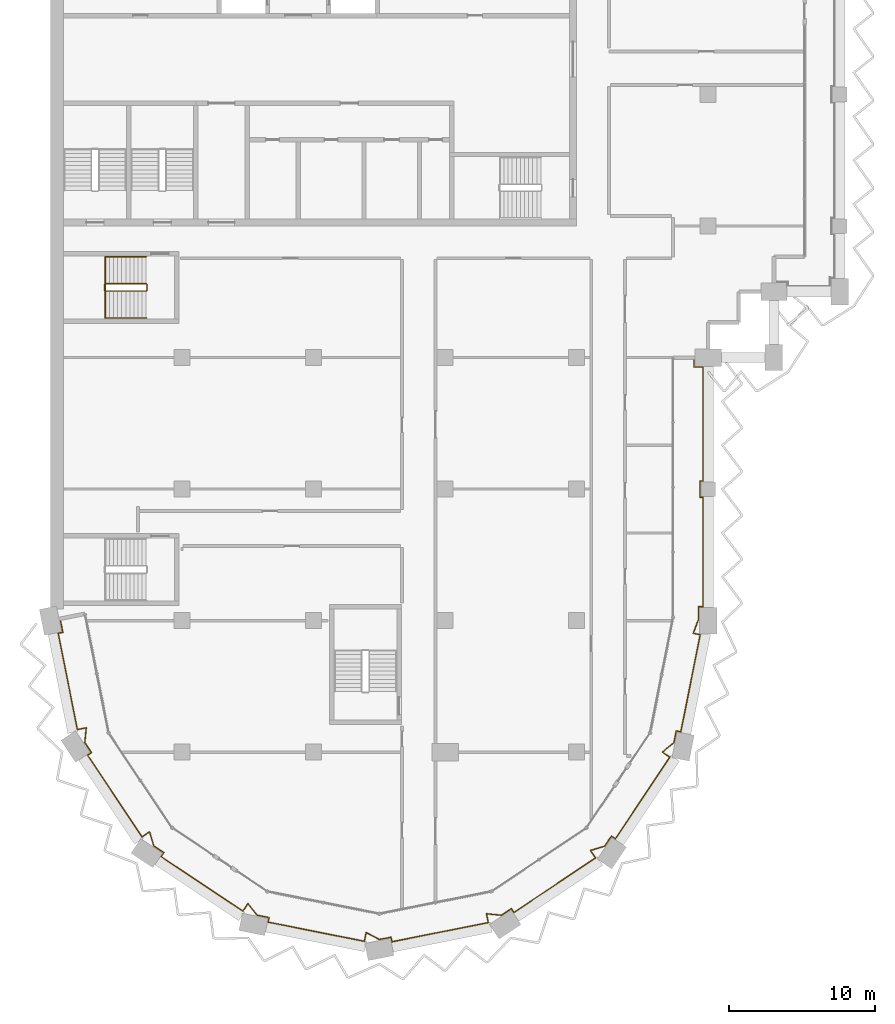
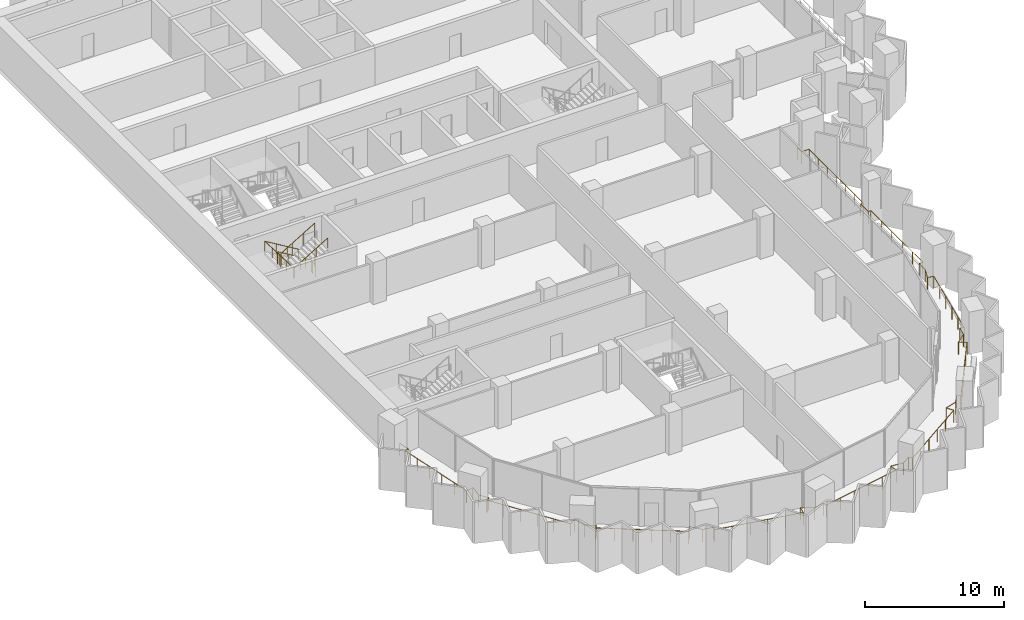
# One storey, part 15 of 17: 3 railings.
"""IFC4 building model written with IfcOpenShell, lengths in metres."""

from ifc_helpers import new_model, si_unit, direction, frame, origin, origin_2d, place, context, subcontext, project, spatial, circle, extrude, material, type_object, element, save


model = new_model("IFC4")

# Units and contexts
model_context = context("Model", 3, precision=1e-05, world=origin(), true_north=direction((0.0, 1.0)))
body_context = subcontext(model_context, "Body", "Model", "MODEL_VIEW")
ifc_project = project(units=[si_unit("LENGTHUNIT", "METRE"), si_unit("AREAUNIT", "SQUARE_METRE"), si_unit("VOLUMEUNIT", "CUBIC_METRE"), si_unit("PLANEANGLEUNIT", "RADIAN"), si_unit("MASSUNIT", "GRAM", prefix="KILO")], contexts=[model_context])

# Site, building, storey
site_placement = place(None, origin())
site = spatial("IfcSite", under=ifc_project, at=site_placement, CompositionType="ELEMENT")
building_placement = place(site_placement, origin())
building = spatial("IfcBuilding", under=site, at=building_placement, Name="Hunhe Ridgeline Campus", CompositionType="ELEMENT")
storey_placement = place(building_placement, frame((0.0, 0.0, 197.60009765625)))
storey = spatial("IfcBuildingStorey", under=building, at=storey_placement, Name="L50", CompositionType="ELEMENT", Elevation=197.60009765625)

# Railings
ifc_material_1 = material(Name="Steel Q355", Category="steel")
railing_type_1 = type_object("IfcRailingType", Name="Loggia guard 1100 Steel Q355", PredefinedType="GUARDRAIL", material=ifc_material_1)
railing_1_placement = place(storey_placement, frame((0.6572265625, 36.130615234375, 0.0)))
element("IfcRailing", 1, at=railing_1_placement, inside=storey, type_object=railing_type_1, Name="Loggia guard 1", PredefinedType="GUARDRAIL", context=body_context, shape_type="SweptSolid", body=[
    extrude(circle(Radius=0.02392578125, at=origin_2d()), frame((0.0, 0.0, 1.076171875), z_axis=(0.195078060519, -0.980787719287, 0.0), x_axis=(0.980787719287, 0.195078060519, 0.0)), (0.0, 0.0, 1.0), 0.949951171875),
    extrude(circle(Radius=0.02392578125, at=origin_2d()), frame((0.185302734375, -0.931640625, 1.076171875), z_axis=(-0.980756274917, -0.195236085831, 0.0), x_axis=(0.195236085831, -0.980756274917, 0.0)), (0.0, 0.0, 1.0), 0.320068359375),
    extrude(circle(Radius=0.02392578125, at=origin_2d()), frame((-0.128662109375, -0.994140625, 1.076171875), z_axis=(0.195081688297, -0.980786997717, 0.0), x_axis=(0.980786997717, 0.195081688297, 0.0)), (0.0, 0.0, 1.0), 6.718017578125),
    extrude(circle(Radius=0.02392578125, at=origin_2d()), frame((1.181884765625, -7.5830078125, 1.076171875), z_axis=(0.980747227858, 0.195281527671, 0.0), x_axis=(-0.195281527671, 0.980747227858, 0.0)), (0.0, 0.0, 1.0), 0.618896484375),
    extrude(circle(Radius=0.02392578125, at=origin_2d()), frame((1.788818359375, -7.462158203125, 1.076171875), z_axis=(-0.100047453171, -0.99498266674, 0.0), x_axis=(0.99498266674, -0.100047453171, 0.0)), (0.0, 0.0, 1.0), 1.0224609375),
    extrude(circle(Radius=0.02392578125, at=origin_2d()), frame((1.6865234375, -8.4794921875, 1.076171875), z_axis=(0.555596479569, -0.83145207432, 0.0), x_axis=(0.83145207432, 0.555596479569, 0.0)), (0.0, 0.0, 1.0), 0.81689453125),
    extrude(circle(Radius=0.02392578125, at=origin_2d()), frame((2.140380859375, -9.15869140625, 1.076171875), z_axis=(-0.831580508376, -0.555404229448, 0.0), x_axis=(0.555404229448, -0.831580508376, 0.0)), (0.0, 0.0, 1.0), 0.320068359375),
    extrude(circle(Radius=0.02392578125, at=origin_2d()), frame((1.874267578125, -9.33642578125, 1.076171875), z_axis=(0.555588848626, -0.831457173451, 0.0), x_axis=(0.831457173451, 0.555588848626, 0.0)), (0.0, 0.0, 1.0), 6.718017578125),
    extrude(circle(Radius=0.02392578125, at=origin_2d()), frame((5.606689453125, -14.922119140625, 1.076171875), z_axis=(0.831442704119, 0.555610501851, 0.0), x_axis=(-0.555610501851, 0.831442704119, 0.0)), (0.0, 0.0, 1.0), 0.61865234375),
    extrude(circle(Radius=0.02392578125, at=origin_2d()), frame((6.12109375, -14.578369140625, 1.076171875), z_axis=(0.28844300651, -0.957497066312, 0.0), x_axis=(0.957497066312, 0.28844300651, 0.0)), (0.0, 0.0, 1.0), 1.0224609375),
    extrude(circle(Radius=0.02392578125, at=origin_2d()), frame((6.416015625, -15.557373046875, 1.076171875), z_axis=(0.831359782977, -0.55573456906, 0.0), x_axis=(0.55573456906, 0.831359782977, 0.0)), (0.0, 0.0, 1.0), 0.816650390625),
    extrude(circle(Radius=0.02392578125, at=origin_2d()), frame((7.094970703125, -16.01123046875, 1.076171875), z_axis=(-0.555404229448, -0.831580508376, 0.0), x_axis=(0.831580508376, -0.555404229448, 0.0)), (0.0, 0.0, 1.0), 0.320068359375),
    extrude(circle(Radius=0.02392578125, at=origin_2d()), frame((6.917236328125, -16.27734375, 1.076171875), z_axis=(0.831473961305, -0.555563724222, 0.0), x_axis=(0.555563724222, 0.831473961305, 0.0)), (0.0, 0.0, 1.0), 6.7177734375),
    extrude(circle(Radius=0.02392578125, at=origin_2d()), frame((12.5029296875, -20.009521484375, 1.076171875), z_axis=(0.555610501851, 0.831442704119, 0.0), x_axis=(-0.831442704119, 0.555610501851, 0.0)), (0.0, 0.0, 1.0), 0.61865234375),
    extrude(circle(Radius=0.02392578125, at=origin_2d()), frame((12.8466796875, -19.4951171875, 1.076171875), z_axis=(0.63289971186, -0.774233785576, 0.0), x_axis=(0.774233785576, 0.63289971186, 0.0)), (0.0, 0.0, 1.0), 1.022705078125),
    extrude(circle(Radius=0.02392578125, at=origin_2d()), frame((13.493896484375, -20.286865234375, 1.076171875), z_axis=(0.980821383877, -0.194908729743, 0.0), x_axis=(0.194908729743, 0.980821383877, 0.0)), (0.0, 0.0, 1.0), 0.816650390625),
    extrude(circle(Radius=0.02392578125, at=origin_2d()), frame((14.294921875, -20.446044921875, 1.076171875), z_axis=(-0.195236085831, -0.980756274917, 0.0), x_axis=(0.980756274917, -0.195236085831, 0.0)), (0.0, 0.0, 1.0), 0.320068359375),
    extrude(circle(Radius=0.02392578125, at=origin_2d()), frame((14.232421875, -20.760009765625, 1.076171875), z_axis=(0.980786997717, -0.195081688297, 0.0), x_axis=(0.195081688297, 0.980786997717, 0.0)), (0.0, 0.0, 1.0), 6.718017578125),
    extrude(circle(Radius=0.02392578125, at=origin_2d()), frame((20.8212890625, -22.070556640625, 1.076171875), z_axis=(0.194902020226, 0.980822717168, 0.0), x_axis=(-0.980822717168, 0.194902020226, 0.0)), (0.0, 0.0, 1.0), 0.618896484375),
    extrude(circle(Radius=0.02392578125, at=origin_2d()), frame((20.94189453125, -21.463623046875, 1.076171875), z_axis=(0.880961256043, -0.473188403652, 0.0), x_axis=(0.473188403652, 0.880961256043, 0.0)), (0.0, 0.0, 1.0), 1.022705078125),
    extrude(circle(Radius=0.02392578125, at=origin_2d()), frame((21.8427734375, -21.947509765625, 1.076171875), z_axis=(0.980764196543, 0.195196287822, 0.0), x_axis=(-0.195196287822, 0.980764196543, 0.0)), (0.0, 0.0, 1.0), 0.816650390625),
    extrude(circle(Radius=0.02392578125, at=origin_2d()), frame((22.643798828125, -21.7880859375, 1.076171875), z_axis=(0.195236085831, -0.980756274917, 0.0), x_axis=(0.980756274917, 0.195236085831, 0.0)), (0.0, 0.0, 1.0), 0.320068359375),
    extrude(circle(Radius=0.02392578125, at=origin_2d()), frame((22.706298828125, -22.10205078125, 1.076171875), z_axis=(0.980786997717, 0.195081688297, 0.0), x_axis=(-0.195081688297, 0.980786997717, 0.0)), (0.0, 0.0, 1.0), 6.718017578125),
    extrude(circle(Radius=0.02392578125, at=origin_2d()), frame((29.295166015625, -20.79150390625, 1.076171875), z_axis=(-0.195281527671, 0.980747227858, 0.0), x_axis=(-0.980747227858, -0.195281527671, 0.0)), (0.0, 0.0, 1.0), 0.618896484375),
    extrude(circle(Radius=0.02392578125, at=origin_2d()), frame((29.17431640625, -20.1845703125, 1.076171875), z_axis=(0.99498266674, -0.100047453171, 0.0), x_axis=(0.100047453171, 0.99498266674, 0.0)), (0.0, 0.0, 1.0), 1.0224609375),
    extrude(circle(Radius=0.02392578125, at=origin_2d()), frame((30.191650390625, -20.286865234375, 1.076171875), z_axis=(0.83145207432, 0.555596479569, 0.0), x_axis=(-0.555596479569, 0.83145207432, 0.0)), (0.0, 0.0, 1.0), 0.81689453125),
    extrude(circle(Radius=0.02392578125, at=origin_2d()), frame((30.870849609375, -19.8330078125, 1.076171875), z_axis=(0.555404229448, -0.831580508376, 0.0), x_axis=(0.831580508376, 0.555404229448, 0.0)), (0.0, 0.0, 1.0), 0.320068359375),
    extrude(circle(Radius=0.02392578125, at=origin_2d()), frame((31.048583984375, -20.09912109375, 1.076171875), z_axis=(0.831457173451, 0.555588848626, 0.0), x_axis=(-0.555588848626, 0.831457173451, 0.0)), (0.0, 0.0, 1.0), 6.718017578125),
    extrude(circle(Radius=0.02392578125, at=origin_2d()), frame((36.63427734375, -16.36669921875, 1.076171875), z_axis=(-0.555610501851, 0.831442704119, 0.0), x_axis=(-0.831442704119, -0.555610501851, 0.0)), (0.0, 0.0, 1.0), 0.61865234375),
    extrude(circle(Radius=0.02392578125, at=origin_2d()), frame((36.29052734375, -15.852294921875, 1.076171875), z_axis=(0.957497066312, 0.28844300651, 0.0), x_axis=(-0.28844300651, 0.957497066312, 0.0)), (0.0, 0.0, 1.0), 1.0224609375),
    extrude(circle(Radius=0.02392578125, at=origin_2d()), frame((37.26953125, -15.557373046875, 1.076171875), z_axis=(0.55573456906, 0.831359782977, 0.0), x_axis=(-0.831359782977, 0.55573456906, 0.0)), (0.0, 0.0, 1.0), 0.816650390625),
    extrude(circle(Radius=0.02392578125, at=origin_2d()), frame((37.723388671875, -14.87841796875, 1.076171875), z_axis=(0.831580508376, -0.555404229448, 0.0), x_axis=(0.555404229448, 0.831580508376, 0.0)), (0.0, 0.0, 1.0), 0.320068359375),
    extrude(circle(Radius=0.02392578125, at=origin_2d()), frame((37.989501953125, -15.05615234375, 1.076171875), z_axis=(0.555563724222, 0.831473961305, 0.0), x_axis=(-0.831473961305, 0.555563724222, 0.0)), (0.0, 0.0, 1.0), 6.7177734375),
    extrude(circle(Radius=0.02392578125, at=origin_2d()), frame((41.7216796875, -9.470458984375, 1.076171875), z_axis=(-0.831442704119, 0.555610501851, 0.0), x_axis=(-0.555610501851, -0.831442704119, 0.0)), (0.0, 0.0, 1.0), 0.61865234375),
    extrude(circle(Radius=0.02392578125, at=origin_2d()), frame((41.207275390625, -9.126708984375, 1.076171875), z_axis=(0.774233785576, 0.63289971186, 0.0), x_axis=(-0.63289971186, 0.774233785576, 0.0)), (0.0, 0.0, 1.0), 1.022705078125),
    extrude(circle(Radius=0.02392578125, at=origin_2d()), frame((41.9990234375, -8.4794921875, 1.076171875), z_axis=(0.194908729743, 0.980821383877, 0.0), x_axis=(-0.980821383877, 0.194908729743, 0.0)), (0.0, 0.0, 1.0), 0.816650390625),
    extrude(circle(Radius=0.02392578125, at=origin_2d()), frame((42.158203125, -7.678466796875, 1.076171875), z_axis=(0.980756274917, -0.195236085831, 0.0), x_axis=(0.195236085831, 0.980756274917, 0.0)), (0.0, 0.0, 1.0), 0.320068359375),
    extrude(circle(Radius=0.02392578125, at=origin_2d()), frame((42.47216796875, -7.740966796875, 1.076171875), z_axis=(0.195084106665, 0.980786516693, 0.0), x_axis=(-0.980786516693, 0.195084106665, 0.0)), (0.0, 0.0, 1.0), 6.779296875),
    extrude(circle(Radius=0.02392578125, at=origin_2d()), frame((43.794677734375, -1.092041015625, 1.076171875), z_axis=(-0.980754922768, 0.195242878144, 0.0), x_axis=(-0.195242878144, -0.980754922768, 0.0)), (0.0, 0.0, 1.0), 0.48388671875),
    extrude(circle(Radius=0.02392578125, at=origin_2d()), frame((43.320068359375, -0.99755859375, 1.076171875), z_axis=(0.353724256779, 0.93534974751, 0.0), x_axis=(-0.93534974751, 0.353724256779, 0.0)), (0.0, 0.0, 1.0), 0.997314453125),
    extrude(circle(Radius=0.02392578125, at=origin_2d()), frame((43.6728515625, -0.064697265625, 1.076171875), z_axis=(0.0, 1.0, 0.0), x_axis=(-1.0, 0.0, 0.0)), (0.0, 0.0, 1.0), 0.884033203125),
    extrude(circle(Radius=0.02392578125, at=origin_2d()), frame((43.6728515625, 0.8193359375, 1.076171875), z_axis=(1.0, 0.0, 0.0), x_axis=(0.0, 1.0, 0.0)), (0.0, 0.0, 1.0), 0.31982421875),
    extrude(circle(Radius=0.02392578125, at=origin_2d()), frame((43.99267578125, 0.8193359375, 1.076171875), z_axis=(0.0, 1.0, 0.0), x_axis=(-1.0, 0.0, 0.0)), (0.0, 0.0, 1.0), 7.5),
    extrude(circle(Radius=0.02392578125, at=origin_2d()), frame((43.99267578125, 8.3193359375, 1.076171875), z_axis=(-1.0, 0.0, 0.0), x_axis=(0.0, -1.0, 0.0)), (0.0, 0.0, 1.0), 0.219970703125),
    extrude(circle(Radius=0.02392578125, at=origin_2d()), frame((43.772705078125, 8.3193359375, 1.076171875), z_axis=(0.0, 1.0, 0.0), x_axis=(-1.0, 0.0, 0.0)), (0.0, 0.0, 1.0), 1.10009765625),
    extrude(circle(Radius=0.02392578125, at=origin_2d()), frame((43.772705078125, 9.41943359375, 1.076171875), z_axis=(1.0, 0.0, 0.0), x_axis=(0.0, 1.0, 0.0)), (0.0, 0.0, 1.0), 0.219970703125),
    extrude(circle(Radius=0.02392578125, at=origin_2d()), frame((43.99267578125, 9.41943359375, 1.076171875), z_axis=(0.0, 1.0, 0.0), x_axis=(-1.0, 0.0, 0.0)), (0.0, 0.0, 1.0), 7.800048828125),
    extrude(circle(Radius=0.02392578125, at=origin_2d()), frame((43.99267578125, 17.219482421875, 1.076171875), z_axis=(-1.0, 0.0, 0.0), x_axis=(0.0, -1.0, 0.0)), (0.0, 0.0, 1.0), 0.619873046875),
    extrude(circle(Radius=0.02392578125, at=origin_2d()), frame((43.372802734375, 17.219482421875, 1.076171875), z_axis=(0.0, 1.0, 0.0), x_axis=(-1.0, 0.0, 0.0)), (0.0, 0.0, 1.0), 0.64990234375),
    extrude(circle(Radius=0.02099609375, at=origin_2d()), origin(), (0.0, 0.0, 1.0), 1.052001953125),
    extrude(circle(Radius=0.02099609375, at=origin_2d()), frame((0.185302734375, -0.931640625, 0.0)), (0.0, 0.0, 1.0), 1.052001953125),
    extrude(circle(Radius=0.02099609375, at=origin_2d()), frame((-0.128662109375, -0.994140625, 0.0)), (0.0, 0.0, 1.0), 1.052001953125),
    extrude(circle(Radius=0.02099609375, at=origin_2d()), frame((0.133544921875, -2.31201171875, 0.0)), (0.0, 0.0, 1.0), 1.052001953125),
    extrude(circle(Radius=0.02099609375, at=origin_2d()), frame((0.3955078125, -3.629638671875, 0.0)), (0.0, 0.0, 1.0), 1.052001953125),
    extrude(circle(Radius=0.02099609375, at=origin_2d()), frame((0.65771484375, -4.947509765625, 0.0)), (0.0, 0.0, 1.0), 1.052001953125),
    extrude(circle(Radius=0.02099609375, at=origin_2d()), frame((0.919677734375, -6.26513671875, 0.0)), (0.0, 0.0, 1.0), 1.052001953125),
    extrude(circle(Radius=0.02099609375, at=origin_2d()), frame((1.181884765625, -7.5830078125, 0.0)), (0.0, 0.0, 1.0), 1.052001953125),
    extrude(circle(Radius=0.02099609375, at=origin_2d()), frame((1.788818359375, -7.462158203125, 0.0)), (0.0, 0.0, 1.0), 1.052001953125),
    extrude(circle(Radius=0.02099609375, at=origin_2d()), frame((1.6865234375, -8.4794921875, 0.0)), (0.0, 0.0, 1.0), 1.052001953125),
    extrude(circle(Radius=0.02099609375, at=origin_2d()), frame((2.140380859375, -9.15869140625, 0.0)), (0.0, 0.0, 1.0), 1.052001953125),
    extrude(circle(Radius=0.02099609375, at=origin_2d()), frame((1.874267578125, -9.33642578125, 0.0)), (0.0, 0.0, 1.0), 1.052001953125),
    extrude(circle(Radius=0.02099609375, at=origin_2d()), frame((2.620849609375, -10.45361328125, 0.0)), (0.0, 0.0, 1.0), 1.052001953125),
    extrude(circle(Radius=0.02099609375, at=origin_2d()), frame((3.3671875, -11.57080078125, 0.0)), (0.0, 0.0, 1.0), 1.052001953125),
    extrude(circle(Radius=0.02099609375, at=origin_2d()), frame((4.11376953125, -12.687744140625, 0.0)), (0.0, 0.0, 1.0), 1.052001953125),
    extrude(circle(Radius=0.02099609375, at=origin_2d()), frame((4.860107421875, -13.804931640625, 0.0)), (0.0, 0.0, 1.0), 1.052001953125),
    extrude(circle(Radius=0.02099609375, at=origin_2d()), frame((5.606689453125, -14.922119140625, 0.0)), (0.0, 0.0, 1.0), 1.052001953125),
    extrude(circle(Radius=0.02099609375, at=origin_2d()), frame((6.12109375, -14.578369140625, 0.0)), (0.0, 0.0, 1.0), 1.052001953125),
    extrude(circle(Radius=0.02099609375, at=origin_2d()), frame((6.416015625, -15.557373046875, 0.0)), (0.0, 0.0, 1.0), 1.052001953125),
    extrude(circle(Radius=0.02099609375, at=origin_2d()), frame((7.094970703125, -16.01123046875, 0.0)), (0.0, 0.0, 1.0), 1.052001953125),
    extrude(circle(Radius=0.02099609375, at=origin_2d()), frame((6.917236328125, -16.27734375, 0.0)), (0.0, 0.0, 1.0), 1.052001953125),
    extrude(circle(Radius=0.02099609375, at=origin_2d()), frame((8.034423828125, -17.023681640625, 0.0)), (0.0, 0.0, 1.0), 1.052001953125),
    extrude(circle(Radius=0.02099609375, at=origin_2d()), frame((9.151611328125, -17.770263671875, 0.0)), (0.0, 0.0, 1.0), 1.052001953125),
    extrude(circle(Radius=0.02099609375, at=origin_2d()), frame((10.2685546875, -18.5166015625, 0.0)), (0.0, 0.0, 1.0), 1.052001953125),
    extrude(circle(Radius=0.02099609375, at=origin_2d()), frame((11.3857421875, -19.26318359375, 0.0)), (0.0, 0.0, 1.0), 1.052001953125),
    extrude(circle(Radius=0.02099609375, at=origin_2d()), frame((12.5029296875, -20.009521484375, 0.0)), (0.0, 0.0, 1.0), 1.052001953125),
    extrude(circle(Radius=0.02099609375, at=origin_2d()), frame((12.8466796875, -19.4951171875, 0.0)), (0.0, 0.0, 1.0), 1.052001953125),
    extrude(circle(Radius=0.02099609375, at=origin_2d()), frame((13.493896484375, -20.286865234375, 0.0)), (0.0, 0.0, 1.0), 1.052001953125),
    extrude(circle(Radius=0.02099609375, at=origin_2d()), frame((14.294921875, -20.446044921875, 0.0)), (0.0, 0.0, 1.0), 1.052001953125),
    extrude(circle(Radius=0.02099609375, at=origin_2d()), frame((14.232421875, -20.760009765625, 0.0)), (0.0, 0.0, 1.0), 1.052001953125),
    extrude(circle(Radius=0.02099609375, at=origin_2d()), frame((15.55029296875, -21.022216796875, 0.0)), (0.0, 0.0, 1.0), 1.052001953125),
    extrude(circle(Radius=0.02099609375, at=origin_2d()), frame((16.867919921875, -21.2841796875, 0.0)), (0.0, 0.0, 1.0), 1.052001953125),
    extrude(circle(Radius=0.02099609375, at=origin_2d()), frame((18.185791015625, -21.54638671875, 0.0)), (0.0, 0.0, 1.0), 1.052001953125),
    extrude(circle(Radius=0.02099609375, at=origin_2d()), frame((19.50341796875, -21.808349609375, 0.0)), (0.0, 0.0, 1.0), 1.052001953125),
    extrude(circle(Radius=0.02099609375, at=origin_2d()), frame((20.8212890625, -22.070556640625, 0.0)), (0.0, 0.0, 1.0), 1.052001953125),
    extrude(circle(Radius=0.02099609375, at=origin_2d()), frame((20.94189453125, -21.463623046875, 0.0)), (0.0, 0.0, 1.0), 1.052001953125),
    extrude(circle(Radius=0.02099609375, at=origin_2d()), frame((21.8427734375, -21.947509765625, 0.0)), (0.0, 0.0, 1.0), 1.052001953125),
    extrude(circle(Radius=0.02099609375, at=origin_2d()), frame((22.643798828125, -21.7880859375, 0.0)), (0.0, 0.0, 1.0), 1.052001953125),
    extrude(circle(Radius=0.02099609375, at=origin_2d()), frame((22.706298828125, -22.10205078125, 0.0)), (0.0, 0.0, 1.0), 1.052001953125),
    extrude(circle(Radius=0.02099609375, at=origin_2d()), frame((24.024169921875, -21.83984375, 0.0)), (0.0, 0.0, 1.0), 1.052001953125),
    extrude(circle(Radius=0.02099609375, at=origin_2d()), frame((25.341796875, -21.577880859375, 0.0)), (0.0, 0.0, 1.0), 1.052001953125),
    extrude(circle(Radius=0.02099609375, at=origin_2d()), frame((26.65966796875, -21.315673828125, 0.0)), (0.0, 0.0, 1.0), 1.052001953125),
    extrude(circle(Radius=0.02099609375, at=origin_2d()), frame((27.977294921875, -21.0537109375, 0.0)), (0.0, 0.0, 1.0), 1.052001953125),
    extrude(circle(Radius=0.02099609375, at=origin_2d()), frame((29.295166015625, -20.79150390625, 0.0)), (0.0, 0.0, 1.0), 1.052001953125),
    extrude(circle(Radius=0.02099609375, at=origin_2d()), frame((29.17431640625, -20.1845703125, 0.0)), (0.0, 0.0, 1.0), 1.052001953125),
    extrude(circle(Radius=0.02099609375, at=origin_2d()), frame((30.191650390625, -20.286865234375, 0.0)), (0.0, 0.0, 1.0), 1.052001953125),
    extrude(circle(Radius=0.02099609375, at=origin_2d()), frame((30.870849609375, -19.8330078125, 0.0)), (0.0, 0.0, 1.0), 1.052001953125),
    extrude(circle(Radius=0.02099609375, at=origin_2d()), frame((31.048583984375, -20.09912109375, 0.0)), (0.0, 0.0, 1.0), 1.052001953125),
    extrude(circle(Radius=0.02099609375, at=origin_2d()), frame((32.165771484375, -19.3525390625, 0.0)), (0.0, 0.0, 1.0), 1.052001953125),
    extrude(circle(Radius=0.02099609375, at=origin_2d()), frame((33.282958984375, -18.606201171875, 0.0)), (0.0, 0.0, 1.0), 1.052001953125),
    extrude(circle(Radius=0.02099609375, at=origin_2d()), frame((34.39990234375, -17.859619140625, 0.0)), (0.0, 0.0, 1.0), 1.052001953125),
    extrude(circle(Radius=0.02099609375, at=origin_2d()), frame((35.51708984375, -17.11328125, 0.0)), (0.0, 0.0, 1.0), 1.052001953125),
    extrude(circle(Radius=0.02099609375, at=origin_2d()), frame((36.63427734375, -16.36669921875, 0.0)), (0.0, 0.0, 1.0), 1.052001953125),
    extrude(circle(Radius=0.02099609375, at=origin_2d()), frame((36.29052734375, -15.852294921875, 0.0)), (0.0, 0.0, 1.0), 1.052001953125),
    extrude(circle(Radius=0.02099609375, at=origin_2d()), frame((37.26953125, -15.557373046875, 0.0)), (0.0, 0.0, 1.0), 1.052001953125),
    extrude(circle(Radius=0.02099609375, at=origin_2d()), frame((37.723388671875, -14.87841796875, 0.0)), (0.0, 0.0, 1.0), 1.052001953125),
    extrude(circle(Radius=0.02099609375, at=origin_2d()), frame((37.989501953125, -15.05615234375, 0.0)), (0.0, 0.0, 1.0), 1.052001953125),
    extrude(circle(Radius=0.02099609375, at=origin_2d()), frame((38.73583984375, -13.93896484375, 0.0)), (0.0, 0.0, 1.0), 1.052001953125),
    extrude(circle(Radius=0.02099609375, at=origin_2d()), frame((39.482421875, -12.82177734375, 0.0)), (0.0, 0.0, 1.0), 1.052001953125),
    extrude(circle(Radius=0.02099609375, at=origin_2d()), frame((40.228759765625, -11.704833984375, 0.0)), (0.0, 0.0, 1.0), 1.052001953125),
    extrude(circle(Radius=0.02099609375, at=origin_2d()), frame((40.975341796875, -10.587646484375, 0.0)), (0.0, 0.0, 1.0), 1.052001953125),
    extrude(circle(Radius=0.02099609375, at=origin_2d()), frame((41.7216796875, -9.470458984375, 0.0)), (0.0, 0.0, 1.0), 1.052001953125),
    extrude(circle(Radius=0.02099609375, at=origin_2d()), frame((41.207275390625, -9.126708984375, 0.0)), (0.0, 0.0, 1.0), 1.052001953125),
    extrude(circle(Radius=0.02099609375, at=origin_2d()), frame((41.9990234375, -8.4794921875, 0.0)), (0.0, 0.0, 1.0), 1.052001953125),
    extrude(circle(Radius=0.02099609375, at=origin_2d()), frame((42.158203125, -7.678466796875, 0.0)), (0.0, 0.0, 1.0), 1.052001953125),
    extrude(circle(Radius=0.02099609375, at=origin_2d()), frame((42.47216796875, -7.740966796875, 0.0)), (0.0, 0.0, 1.0), 1.052001953125),
    extrude(circle(Radius=0.02099609375, at=origin_2d()), frame((42.736572265625, -6.4111328125, 0.0)), (0.0, 0.0, 1.0), 1.052001953125),
    extrude(circle(Radius=0.02099609375, at=origin_2d()), frame((43.001220703125, -5.081298828125, 0.0)), (0.0, 0.0, 1.0), 1.052001953125),
    extrude(circle(Radius=0.02099609375, at=origin_2d()), frame((43.265625, -3.751708984375, 0.0)), (0.0, 0.0, 1.0), 1.052001953125),
    extrude(circle(Radius=0.02099609375, at=origin_2d()), frame((43.5302734375, -2.421875, 0.0)), (0.0, 0.0, 1.0), 1.052001953125),
    extrude(circle(Radius=0.02099609375, at=origin_2d()), frame((43.794677734375, -1.092041015625, 0.0)), (0.0, 0.0, 1.0), 1.052001953125),
    extrude(circle(Radius=0.02099609375, at=origin_2d()), frame((43.320068359375, -0.99755859375, 0.0)), (0.0, 0.0, 1.0), 1.052001953125),
    extrude(circle(Radius=0.02099609375, at=origin_2d()), frame((43.6728515625, -0.064697265625, 0.0)), (0.0, 0.0, 1.0), 1.052001953125),
    extrude(circle(Radius=0.02099609375, at=origin_2d()), frame((43.6728515625, 0.8193359375, 0.0)), (0.0, 0.0, 1.0), 1.052001953125),
    extrude(circle(Radius=0.02099609375, at=origin_2d()), frame((43.99267578125, 0.8193359375, 0.0)), (0.0, 0.0, 1.0), 1.052001953125),
    extrude(circle(Radius=0.02099609375, at=origin_2d()), frame((43.99267578125, 2.3193359375, 0.0)), (0.0, 0.0, 1.0), 1.052001953125),
    extrude(circle(Radius=0.02099609375, at=origin_2d()), frame((43.99267578125, 3.8193359375, 0.0)), (0.0, 0.0, 1.0), 1.052001953125),
    extrude(circle(Radius=0.02099609375, at=origin_2d()), frame((43.99267578125, 5.3193359375, 0.0)), (0.0, 0.0, 1.0), 1.052001953125),
    extrude(circle(Radius=0.02099609375, at=origin_2d()), frame((43.99267578125, 6.8193359375, 0.0)), (0.0, 0.0, 1.0), 1.052001953125),
    extrude(circle(Radius=0.02099609375, at=origin_2d()), frame((43.99267578125, 8.3193359375, 0.0)), (0.0, 0.0, 1.0), 1.052001953125),
    extrude(circle(Radius=0.02099609375, at=origin_2d()), frame((43.772705078125, 8.3193359375, 0.0)), (0.0, 0.0, 1.0), 1.052001953125),
    extrude(circle(Radius=0.02099609375, at=origin_2d()), frame((43.772705078125, 9.41943359375, 0.0)), (0.0, 0.0, 1.0), 1.052001953125),
    extrude(circle(Radius=0.02099609375, at=origin_2d()), frame((43.99267578125, 9.41943359375, 0.0)), (0.0, 0.0, 1.0), 1.052001953125),
    extrude(circle(Radius=0.02099609375, at=origin_2d()), frame((43.99267578125, 10.719482421875, 0.0)), (0.0, 0.0, 1.0), 1.052001953125),
    extrude(circle(Radius=0.02099609375, at=origin_2d()), frame((43.99267578125, 12.01953125, 0.0)), (0.0, 0.0, 1.0), 1.052001953125),
    extrude(circle(Radius=0.02099609375, at=origin_2d()), frame((43.99267578125, 13.3193359375, 0.0)), (0.0, 0.0, 1.0), 1.052001953125),
    extrude(circle(Radius=0.02099609375, at=origin_2d()), frame((43.99267578125, 14.619384765625, 0.0)), (0.0, 0.0, 1.0), 1.052001953125),
    extrude(circle(Radius=0.02099609375, at=origin_2d()), frame((43.99267578125, 15.91943359375, 0.0)), (0.0, 0.0, 1.0), 1.052001953125),
    extrude(circle(Radius=0.02099609375, at=origin_2d()), frame((43.99267578125, 17.219482421875, 0.0)), (0.0, 0.0, 1.0), 1.052001953125),
    extrude(circle(Radius=0.02099609375, at=origin_2d()), frame((43.372802734375, 17.219482421875, 0.0)), (0.0, 0.0, 1.0), 1.052001953125),
    extrude(circle(Radius=0.02099609375, at=origin_2d()), frame((43.372802734375, 17.869384765625, 0.0)), (0.0, 0.0, 1.0), 1.052001953125),
])
ifc_material_2 = material(Name="Stainless steel balustrade", Category="steel")
railing_type_2 = type_object("IfcRailingType", Name="Stair guard 1100 stainless", PredefinedType="GUARDRAIL", material=ifc_material_2)
railing_2_placement = place(storey_placement, frame((6.550048828125, 59.050048828125, 0.16796875)))
element("IfcRailing", 2, at=railing_2_placement, inside=storey, type_object=railing_type_2, Name="L50 stair W2 guard", PredefinedType="GUARDRAIL", context=body_context, shape_type="SweptSolid", body=[
    extrude(circle(Radius=0.02392578125, at=origin_2d()), frame((0.0, 0.0, 1.076171875), z_axis=(-0.857242210791, 0.0, 0.514913383045), x_axis=(0.0, -1.0, 0.0)), (0.0, 0.0, 1.0), 3.266357421875),
    extrude(circle(Radius=0.02392578125, at=origin_2d()), frame((-2.800048828125, 0.0, 2.7578125), z_axis=(-0.707106781187, -0.707106781187, 0.0), x_axis=(0.707106781187, -0.707106781187, 0.0)), (0.0, 0.0, 1.0), 0.07080078125),
    extrude(circle(Radius=0.02392578125, at=origin_2d()), frame((-2.85009765625, -0.050048828125, 2.7578125), z_axis=(0.0, -1.0, 0.0), x_axis=(1.0, 0.0, 0.0)), (0.0, 0.0, 1.0), 0.39990234375),
    extrude(circle(Radius=0.02392578125, at=origin_2d()), frame((-2.85009765625, -0.449951171875, 2.7578125), z_axis=(0.274243871929, -0.274243871929, 0.92172696468), x_axis=(0.707106781187, 0.707106781187, 0.0)), (0.0, 0.0, 1.0), 0.1826171875),
    extrude(circle(Radius=0.02392578125, at=origin_2d()), frame((-2.800048828125, -0.5, 2.92626953125), z_axis=(0.857242210791, 0.0, 0.514913383045), x_axis=(0.0, 1.0, 0.0)), (0.0, 0.0, 1.0), 3.266357421875),
    extrude(circle(Radius=0.02392578125, at=origin_2d()), frame((0.0, -0.5, 4.60791015625), z_axis=(0.013524414389, 0.013524414389, -0.999817073484), x_axis=(-0.707106781187, 0.707106781187, 0.0)), (0.0, 0.0, 1.0), 3.70068359375),
    extrude(circle(Radius=0.02392578125, at=origin_2d()), frame((0.050048828125, -0.449951171875, 0.908203125), z_axis=(0.0, 1.0, 0.0), x_axis=(-1.0, 0.0, 0.0)), (0.0, 0.0, 1.0), 0.39990234375),
    extrude(circle(Radius=0.02099609375, at=origin_2d()), origin(), (0.0, 0.0, 1.0), 1.052001953125),
    extrude(circle(Radius=0.02099609375, at=origin_2d()), frame((-0.933349609375, 0.0, 0.560546875)), (0.0, 0.0, 1.0), 1.052001953125),
    extrude(circle(Radius=0.02099609375, at=origin_2d()), frame((-1.86669921875, 0.0, 1.121337890625)), (0.0, 0.0, 1.0), 1.052001953125),
    extrude(circle(Radius=0.02099609375, at=origin_2d()), frame((-2.800048828125, 0.0, 1.681884765625)), (0.0, 0.0, 1.0), 1.052001953125),
    extrude(circle(Radius=0.02099609375, at=origin_2d()), frame((-2.85009765625, -0.050048828125, 1.681884765625)), (0.0, 0.0, 1.0), 1.052001953125),
    extrude(circle(Radius=0.02099609375, at=origin_2d()), frame((-2.85009765625, -0.449951171875, 1.681884765625)), (0.0, 0.0, 1.0), 1.052001953125),
    extrude(circle(Radius=0.02099609375, at=origin_2d()), frame((-2.800048828125, -0.5, 1.85009765625)), (0.0, 0.0, 1.0), 1.052001953125),
    extrude(circle(Radius=0.02099609375, at=origin_2d()), frame((-1.86669921875, -0.5, 2.41064453125)), (0.0, 0.0, 1.0), 1.052001953125),
    extrude(circle(Radius=0.02099609375, at=origin_2d()), frame((-0.933349609375, -0.5, 2.971435546875)), (0.0, 0.0, 1.0), 1.052001953125),
    extrude(circle(Radius=0.02099609375, at=origin_2d()), frame((0.0, -0.5, 3.531982421875)), (0.0, 0.0, 1.0), 1.052001953125),
    extrude(circle(Radius=0.02099609375, at=origin_2d()), frame((0.012451171875, -0.487548828125, 2.60693359375)), (0.0, 0.0, 1.0), 1.052001953125),
    extrude(circle(Radius=0.02099609375, at=origin_2d()), frame((0.02490234375, -0.47509765625, 1.68212890625)), (0.0, 0.0, 1.0), 1.052001953125),
    extrude(circle(Radius=0.02099609375, at=origin_2d()), frame((0.03759765625, -0.46240234375, 0.757080078125)), (0.0, 0.0, 1.0), 1.052001953125),
    extrude(circle(Radius=0.02099609375, at=origin_2d()), frame((0.050048828125, -0.449951171875, -0.16796875)), (0.0, 0.0, 1.0), 1.052001953125),
    extrude(circle(Radius=0.02099609375, at=origin_2d()), frame((0.050048828125, -0.050048828125, -0.16796875)), (0.0, 0.0, 1.0), 1.052001953125),
])
ifc_material_3 = material(Name="Stainless steel handrail", Category="steel")
railing_type_3 = type_object("IfcRailingType", Name="Stair handrail 900 stainless", PredefinedType="HANDRAIL", material=ifc_material_3)
railing_3_placement = place(storey_placement, frame((6.550048828125, 60.89990234375, 0.16796875)))
element("IfcRailing", 3, at=railing_3_placement, inside=storey, type_object=railing_type_3, Name="L50 stair W2 handrail", PredefinedType="HANDRAIL", context=body_context, shape_type="SweptSolid", body=[
    extrude(circle(Radius=0.02392578125, at=origin_2d()), frame((0.0, 0.0, 0.8759765625), z_axis=(-0.857242210791, 0.0, 0.514913383045), x_axis=(0.0, -1.0, 0.0)), (0.0, 0.0, 1.0), 3.266357421875),
    extrude(circle(Radius=0.02392578125, at=origin_2d()), frame((-2.800048828125, 0.0, 2.5576171875), z_axis=(0.0, -0.999198916169, 0.040019069537), x_axis=(1.0, 0.0, 0.0)), (0.0, 0.0, 1.0), 4.203369140625),
    extrude(circle(Radius=0.02392578125, at=origin_2d()), frame((-2.800048828125, -4.199951171875, 2.72607421875), z_axis=(0.857242210791, 0.0, 0.514913383045), x_axis=(0.0, 1.0, 0.0)), (0.0, 0.0, 1.0), 3.266357421875),
    extrude(circle(Radius=0.02099609375, at=origin_2d()), origin(), (0.0, 0.0, 1.0), 0.851806640625),
    extrude(circle(Radius=0.02099609375, at=origin_2d()), frame((-0.933349609375, 0.0, 0.560546875)), (0.0, 0.0, 1.0), 0.851806640625),
    extrude(circle(Radius=0.02099609375, at=origin_2d()), frame((-1.86669921875, 0.0, 1.121337890625)), (0.0, 0.0, 1.0), 0.851806640625),
    extrude(circle(Radius=0.02099609375, at=origin_2d()), frame((-2.800048828125, 0.0, 1.681884765625)), (0.0, 0.0, 1.0), 0.851806640625),
    extrude(circle(Radius=0.02099609375, at=origin_2d()), frame((-2.800048828125, -1.050048828125, 1.723876953125)), (0.0, 0.0, 1.0), 0.851806640625),
    extrude(circle(Radius=0.02099609375, at=origin_2d()), frame((-2.800048828125, -2.10009765625, 1.76611328125)), (0.0, 0.0, 1.0), 0.851806640625),
    extrude(circle(Radius=0.02099609375, at=origin_2d()), frame((-2.800048828125, -3.14990234375, 1.80810546875)), (0.0, 0.0, 1.0), 0.851806640625),
    extrude(circle(Radius=0.02099609375, at=origin_2d()), frame((-2.800048828125, -4.199951171875, 1.85009765625)), (0.0, 0.0, 1.0), 0.851806640625),
    extrude(circle(Radius=0.02099609375, at=origin_2d()), frame((-1.86669921875, -4.199951171875, 2.41064453125)), (0.0, 0.0, 1.0), 0.851806640625),
    extrude(circle(Radius=0.02099609375, at=origin_2d()), frame((-0.933349609375, -4.199951171875, 2.971435546875)), (0.0, 0.0, 1.0), 0.851806640625),
    extrude(circle(Radius=0.02099609375, at=origin_2d()), frame((0.0, -4.199951171875, 3.531982421875)), (0.0, 0.0, 1.0), 0.851806640625),
])

save(model, "model.ifc")
